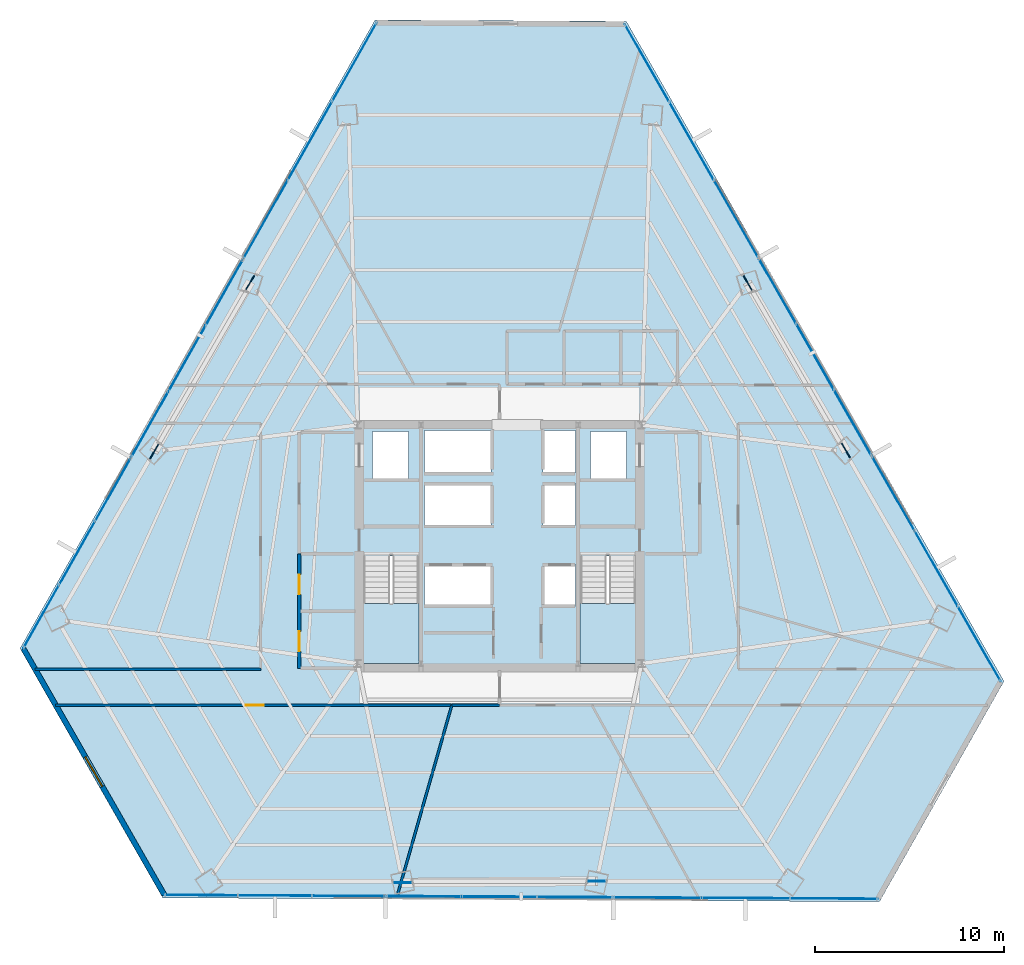
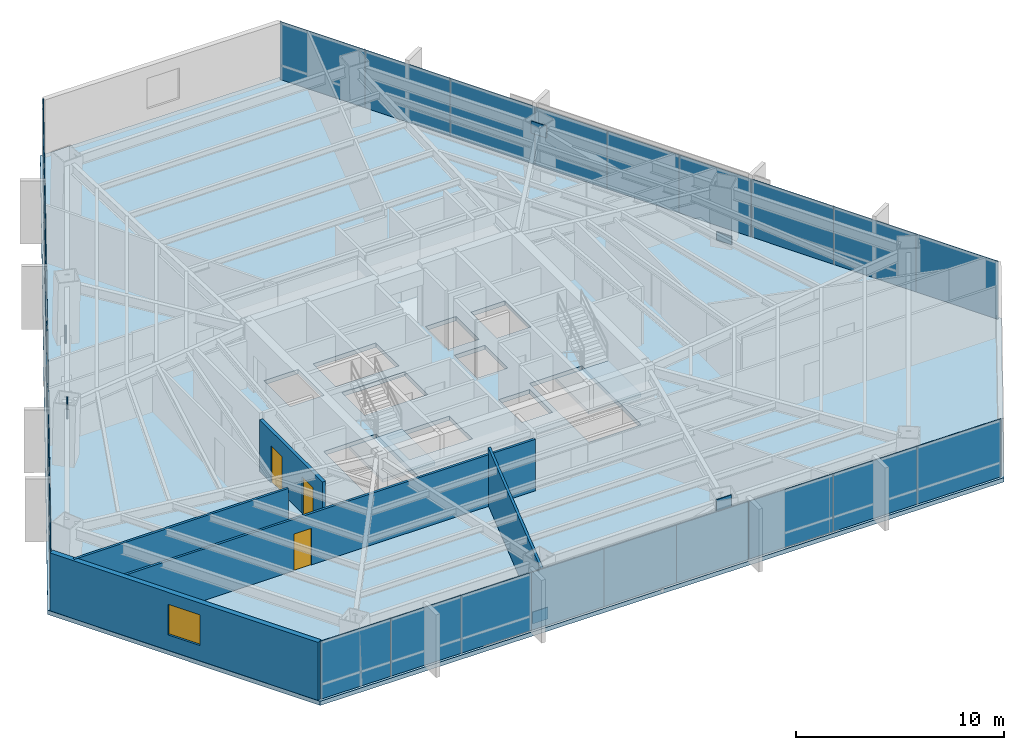
# One storey, part 30 of 36: 33 plates, 6 walls, 3 doors, 3 slabs, 1 window, 4 openings, 11 elements without a shape of their own.
"""IFC4 building model written with IfcOpenShell, lengths in metres."""

from ifc_helpers import new_model, si_unit, direction, frame, frame_2d, origin, origin_2d, place, context, subcontext, project, spatial, polyline, rectangle, outline, extrude, source, transform, mapped, material, layer, layer_set, type_object, type_shapes, element, fill, aggregate, save


model = new_model("IFC4")

# Units and contexts
model_context = context("Model", 3, precision=1e-05, world=origin(), true_north=direction((0.0, 1.0)))
body_context = subcontext(model_context, "Body", "Model", "MODEL_VIEW")
ifc_project = project(units=[si_unit("LENGTHUNIT", "METRE"), si_unit("AREAUNIT", "SQUARE_METRE"), si_unit("VOLUMEUNIT", "CUBIC_METRE"), si_unit("PLANEANGLEUNIT", "RADIAN"), si_unit("MASSUNIT", "GRAM", prefix="KILO")], contexts=[model_context])

# Site, building, storey
site_placement = place(None, origin())
site = spatial("IfcSite", under=ifc_project, at=site_placement, CompositionType="ELEMENT")
building_placement = place(site_placement, origin())
building = spatial("IfcBuilding", under=site, at=building_placement, Name="Caelisora Broadcast Tower", CompositionType="ELEMENT")
storey_placement = place(building_placement, frame((0.0, 0.0, 79.85009765625)))
storey = spatial("IfcBuildingStorey", under=building, at=storey_placement, Name="L20", CompositionType="ELEMENT", Elevation=79.85009765625)

# Slab
ifc_material_1 = material(Name="Concrete 40 MPa (AS 3600 N40)", Category="concrete")
ifc_layer_1 = layer(ifc_material_1, 0.25, Name="Concrete 40 MPa (AS 3600 N40)")
ifc_layer_set_1 = layer_set([ifc_layer_1], Name="Concrete 40 MPa (AS 3600 N40)")
slab_type_1 = type_object("IfcSlabType", Name="SL04", PredefinedType="FLOOR", material=ifc_layer_set_1)
slab_1_placement = place(storey_placement, frame((0.0, 0.0, -0.25)))
element("IfcSlab", 1, at=slab_1_placement, inside=storey, type_object=slab_type_1, Name="L20 suspended floor SL04", PredefinedType="FLOOR", context=body_context, shape_type="SweptSolid", body=[
    extrude(outline(polyline([(44.700927734375, 51.31201171875), (31.424072265625, 51.384033203125), (12.677978515625, 18.199951171875), (20.212890625, 5.030029296875), (58.06201171875, 4.823974609375), (64.637939453125, 16.465087890625), (44.700927734375, 51.31201171875)]), holes=[polyline([(30.820068359375, 17.39990234375), (33.739990234375, 17.39990234375), (33.739990234375, 23.080078125), (30.820068359375, 23.080078125), (30.820068359375, 17.39990234375)]), polyline([(42.260009765625, 17.39990234375), (45.179931640625, 17.39990234375), (45.179931640625, 23.080078125), (42.260009765625, 23.080078125), (42.260009765625, 17.39990234375)]), polyline([(42.800048828125, 27.14990234375), (44.699951171875, 27.14990234375), (44.699951171875, 29.64990234375), (42.800048828125, 29.64990234375), (42.800048828125, 27.14990234375)]), polyline([(40.300048828125, 20.429931640625), (42.0, 20.429931640625), (42.0, 22.6298828125), (40.300048828125, 22.6298828125), (40.300048828125, 20.429931640625)]), polyline([(40.300048828125, 24.719970703125), (42.0, 24.719970703125), (42.0, 26.919921875), (40.300048828125, 26.919921875), (40.300048828125, 24.719970703125)]), polyline([(40.300048828125, 27.5), (42.0, 27.5), (42.0, 29.699951171875), (40.300048828125, 29.699951171875), (40.300048828125, 27.5)]), polyline([(34.050048828125, 20.429931640625), (37.550048828125, 20.429931640625), (37.550048828125, 22.6298828125), (34.050048828125, 22.6298828125), (34.050048828125, 20.429931640625)]), polyline([(34.050048828125, 24.719970703125), (37.550048828125, 24.719970703125), (37.550048828125, 26.919921875), (34.050048828125, 26.919921875), (34.050048828125, 24.719970703125)]), polyline([(34.050048828125, 27.5), (37.550048828125, 27.5), (37.550048828125, 29.699951171875), (34.050048828125, 29.699951171875), (34.050048828125, 27.5)]), polyline([(31.300048828125, 27.14990234375), (33.199951171875, 27.14990234375), (33.199951171875, 29.64990234375), (31.300048828125, 29.64990234375), (31.300048828125, 27.14990234375)])]), origin(), (0.0, 0.0, 1.0), 0.25),
])

# Stair, slab
stair_type_1 = type_object("IfcStairType", Name="ST-1", PredefinedType="HALF_TURN_STAIR", material=ifc_material_1)
stair_1_placement = place(storey_placement, origin())
stair_1 = element("IfcStair", 2, at=stair_1_placement, inside=storey, type_object=stair_type_1, Name="L20 West Fire-Isolated Tower Stair", PredefinedType="HALF_TURN_STAIR")
ifc_layer_2 = layer(ifc_material_1, 0.199951171875, Name="Concrete 40 MPa (AS 3600 N40)")
ifc_layer_set_2 = layer_set([ifc_layer_2], Name="Concrete 40 MPa (AS 3600 N40)")
slab_type_2 = type_object("IfcSlabType", Name="STL-1", PredefinedType="LANDING", material=ifc_layer_set_2)
slab_2_placement = place(storey_placement, frame((0.0, 0.0, 1.625)))
slab_2 = element("IfcSlab", 3, at=slab_2_placement, type_object=slab_type_2, Name="ST-1 landing 1", PredefinedType="LANDING", context=body_context, shape_type="SweptSolid", body=[
    extrude(outline(polyline([(30.820068359375, 20.580078125), (30.820068359375, 17.39990234375), (33.739990234375, 17.39990234375), (33.739990234375, 20.580078125), (30.820068359375, 20.580078125)])), origin(), (0.0, 0.0, 1.0), 0.199951171875),
])
aggregate(stair_1, [slab_2])

stair_type_2 = type_object("IfcStairType", Name="ST-2", PredefinedType="HALF_TURN_STAIR", material=ifc_material_1)
stair_2_placement = place(storey_placement, origin())
stair_2 = element("IfcStair", 4, at=stair_2_placement, inside=storey, type_object=stair_type_2, Name="L20 East Fire-Isolated Tower Stair", PredefinedType="HALF_TURN_STAIR")
slab_3_placement = place(storey_placement, frame((0.0, 0.0, 1.625)))
slab_3 = element("IfcSlab", 5, at=slab_3_placement, type_object=slab_type_2, Name="ST-2 landing 1", PredefinedType="LANDING", context=body_context, shape_type="SweptSolid", body=[
    extrude(outline(polyline([(42.260009765625, 20.580078125), (42.260009765625, 17.39990234375), (45.179931640625, 17.39990234375), (45.179931640625, 20.580078125), (42.260009765625, 20.580078125)])), origin(), (0.0, 0.0, 1.0), 0.199951171875),
])
aggregate(stair_2, [slab_3])

# Plates
ifc_material_2 = material(Name="Steel Grade 350 L15 (AS/NZS 3678)", Category="steel")
ifc_layer_3 = layer(ifc_material_2, 0.050048828125, Name="Steel Grade 350 L15 (AS/NZS 3678)")
ifc_layer_set_3 = layer_set([ifc_layer_3], Name="Steel Grade 350 L15 (AS/NZS 3678)")
plate_type_1 = type_object("IfcPlateType", Name="GP03", PredefinedType="USERDEFINED", material=ifc_layer_set_3)
shared_shape_1 = source(origin(), body_context, "Body", "SweptSolid", [
    extrude(rectangle(XDim=0.85009765625, YDim=0.050048828125, at=origin_2d()), origin(), (0.0, 0.0, 1.0), 0.699951171875),
])
type_shapes(plate_type_1, [shared_shape_1])
for number, where, z_axis, x_axis, name in (
    (6, (24.82470703125, 37.509765625, -0.22998046875), (0.0, 0.0, 1.0), (-0.5, -0.866025403784, 0.0), "L20 gusset plate GP03 (ND-L20-C02B)"),
    (7, (19.76708984375, 28.60498046875, 2.72998046875), (0.0, 0.0, 1.0), (-0.5, -0.866025403784, 0.0), "L20 gusset plate GP03 (ND-L20-C03T)"),
    (8, (32.887939453125, 5.8349609375, -0.22998046875), (0.0, 0.0, 1.0), (1.0, 0.0, 0.0), "L20 gusset plate GP03 (ND-L20-C06B)"),
    (9, (43.12841796875, 5.9072265625, 2.72998046875), (0.0, 0.0, 1.0), (1.0, 0.0, 0.0), "L20 gusset plate GP03 (ND-L20-C07T)"),
    (10, (56.287353515625, 28.655517578125, -0.22998046875), (0.0, 0.0, 1.0), (-0.5, 0.866025403784, 0.0), "L20 gusset plate GP03 (ND-L20-C10B)"),
    (11, (51.1044921875, 37.48779296875, 2.72998046875), (0.0, 0.0, 1.0), (-0.5, 0.866025403784, 0.0), "L20 gusset plate GP03 (ND-L20-C11T)"),
):
    element("IfcPlate", number, at=place(storey_placement, frame(where, z_axis=z_axis, x_axis=x_axis)), inside=storey, type_object=plate_type_1, Name=name, ObjectType="GUSSET PLATE", PredefinedType="USERDEFINED", context=body_context, shape_type="MappedRepresentation", body=[
        mapped(shared_shape_1, transform((0.0, 0.0, 0.0), scale=1.0)),
    ])

# Curtain wall, plates
ifc_material_3 = material(Name="Unitised Aluminium and Low-E Glass Curtain Wall", Category="glass")
curtain_wall_type_1 = type_object("IfcCurtainWallType", Name="CW-Z2", PredefinedType="NOTDEFINED", material=ifc_material_3)
curtain_wall_1_placement = place(storey_placement, origin())
curtain_wall_1 = element("IfcCurtainWall", 12, at=curtain_wall_1_placement, inside=storey, type_object=curtain_wall_type_1, Name="L20 curtain wall CW-Z2", PredefinedType="NOTDEFINED")
ifc_material_4 = material(Name="Double Glazed Low-E Argon IGU", Category="glass")
ifc_layer_4 = layer(ifc_material_4, 0.033935546875, Name="Double Glazed Low-E Argon IGU")
ifc_layer_set_4 = layer_set([ifc_layer_4], Name="Double Glazed Low-E Argon IGU")
plate_type_2 = type_object("IfcPlateType", Name="CWP-03", PredefinedType="CURTAIN_PANEL", material=ifc_layer_set_4)
shared_shape_2 = source(origin(), body_context, "Body", "SweptSolid", [
    extrude(rectangle(XDim=4.734375, YDim=0.033935546875, at=origin_2d()), origin(), (0.0, 0.0, 1.0), 3.39990234375),
])
plate_1_placement = place(storey_placement, frame((45.78955078125, 49.107421875, 0.0), z_axis=(0.0, 0.0, 1.0), x_axis=(0.496519531995, -0.868025549363, 0.0)))
plate_1 = element("IfcPlate", 13, at=plate_1_placement, type_object=plate_type_2, Name="L20-CW-B01 glazed panel #1", PredefinedType="CURTAIN_PANEL", context=body_context, shape_type="MappedRepresentation", body=[
    mapped(shared_shape_2, transform((0.0, 0.0, 0.0), scale=1.0)),
])
plate_2_placement = place(storey_placement, frame((48.140625, 44.997802734375, 0.0), z_axis=(0.0, 0.0, 1.0), x_axis=(0.496519531995, -0.868025549363, 0.0)))
plate_2 = element("IfcPlate", 14, at=plate_2_placement, type_object=plate_type_2, Name="L20-CW-B01 glazed panel #2", PredefinedType="CURTAIN_PANEL", context=body_context, shape_type="MappedRepresentation", body=[
    mapped(shared_shape_2, transform((0.0, 0.0, 0.0), scale=1.0)),
])
plate_3_placement = place(storey_placement, frame((50.49169921875, 40.888427734375, 0.0), z_axis=(0.0, 0.0, 1.0), x_axis=(0.496519531995, -0.868025549363, 0.0)))
plate_3 = element("IfcPlate", 15, at=plate_3_placement, type_object=plate_type_2, Name="L20-CW-B01 glazed panel #3", PredefinedType="CURTAIN_PANEL", context=body_context, shape_type="MappedRepresentation", body=[
    mapped(shared_shape_2, transform((0.0, 0.0, 0.0), scale=1.0)),
])
aggregate(curtain_wall_1, [plate_1, plate_2, plate_3])

ifc_material_5 = material(Name="Unitised Aluminium Insulated Shadow-Box Spandrel Curtain Wall", Category="aluminium")
curtain_wall_type_2 = type_object("IfcCurtainWallType", Name="CW-SP1", PredefinedType="NOTDEFINED", material=ifc_material_5)
curtain_wall_2_placement = place(storey_placement, origin())
curtain_wall_2 = element("IfcCurtainWall", 16, at=curtain_wall_2_placement, inside=storey, type_object=curtain_wall_type_2, Name="L20 curtain wall CW-SP1", PredefinedType="NOTDEFINED")
ifc_material_6 = material(Name="Insulated Terracotta Shadow-Box Spandrel Panel", Category="aluminium")
ifc_layer_5 = layer(ifc_material_6, 0.0439453125, Name="Insulated Terracotta Shadow-Box Spandrel Panel")
ifc_layer_set_5 = layer_set([ifc_layer_5], Name="Insulated Terracotta Shadow-Box Spandrel Panel")
plate_type_3 = type_object("IfcPlateType", Name="CWP-10", PredefinedType="CURTAIN_PANEL", material=ifc_layer_set_5)
shared_shape_3 = source(origin(), body_context, "Body", "SweptSolid", [
    extrude(rectangle(XDim=4.004638671875, YDim=0.0439453125, at=origin_2d()), origin(), (0.0, 0.0, 1.0), 3.39990234375),
])
plate_4_placement = place(storey_placement, frame((52.66650390625, 37.087158203125, 0.0), z_axis=(0.0, 0.0, 1.0), x_axis=(0.496519531995, -0.868025549363, 0.0)))
plate_4 = element("IfcPlate", 17, at=plate_4_placement, type_object=plate_type_3, Name="L20-CW-B02 spandrel panel #1", PredefinedType="CURTAIN_PANEL", context=body_context, shape_type="MappedRepresentation", body=[
    mapped(shared_shape_3, transform((0.0, 0.0, 0.0), scale=1.0)),
])
plate_5_placement = place(storey_placement, frame((54.6552734375, 33.611083984375, 0.0), z_axis=(0.0, 0.0, 1.0), x_axis=(0.496519531995, -0.868025549363, 0.0)))
plate_5 = element("IfcPlate", 18, at=plate_5_placement, type_object=plate_type_3, Name="L20-CW-B02 spandrel panel #2", PredefinedType="CURTAIN_PANEL", context=body_context, shape_type="MappedRepresentation", body=[
    mapped(shared_shape_3, transform((0.0, 0.0, 0.0), scale=1.0)),
])
plate_6_placement = place(storey_placement, frame((56.64404296875, 30.13525390625, 0.0), z_axis=(0.0, 0.0, 1.0), x_axis=(0.496519531995, -0.868025549363, 0.0)))
plate_6 = element("IfcPlate", 19, at=plate_6_placement, type_object=plate_type_3, Name="L20-CW-B02 spandrel panel #3", PredefinedType="CURTAIN_PANEL", context=body_context, shape_type="MappedRepresentation", body=[
    mapped(shared_shape_3, transform((0.0, 0.0, 0.0), scale=1.0)),
])
aggregate(curtain_wall_2, [plate_4, plate_5, plate_6])

curtain_wall_3_placement = place(storey_placement, origin())
curtain_wall_3 = element("IfcCurtainWall", 20, at=curtain_wall_3_placement, inside=storey, type_object=curtain_wall_type_2, Name="L20 curtain wall CW-SP1", PredefinedType="NOTDEFINED")
plate_7_placement = place(storey_placement, frame((42.00048828125, 5.061279296875, 0.0), z_axis=(0.0, 0.0, 1.0), x_axis=(-0.999985363169, 0.005410494284, 0.0)))
plate_7 = element("IfcPlate", 21, at=plate_7_placement, type_object=plate_type_3, Name="L20-CW-B06 spandrel panel #1", PredefinedType="CURTAIN_PANEL", context=body_context, shape_type="MappedRepresentation", body=[
    mapped(shared_shape_3, transform((0.0, 0.0, 0.0), scale=1.0)),
])
plate_8_placement = place(storey_placement, frame((37.995849609375, 5.083251953125, 0.0), z_axis=(0.0, 0.0, 1.0), x_axis=(-0.999985363169, 0.005410494284, 0.0)))
plate_8 = element("IfcPlate", 22, at=plate_8_placement, type_object=plate_type_3, Name="L20-CW-B06 spandrel panel #2", PredefinedType="CURTAIN_PANEL", context=body_context, shape_type="MappedRepresentation", body=[
    mapped(shared_shape_3, transform((0.0, 0.0, 0.0), scale=1.0)),
])
plate_9_placement = place(storey_placement, frame((33.9912109375, 5.10498046875, 0.0), z_axis=(0.0, 0.0, 1.0), x_axis=(-0.999985363169, 0.005410494284, 0.0)))
plate_9 = element("IfcPlate", 23, at=plate_9_placement, type_object=plate_type_3, Name="L20-CW-B06 spandrel panel #3", PredefinedType="CURTAIN_PANEL", context=body_context, shape_type="MappedRepresentation", body=[
    mapped(shared_shape_3, transform((0.0, 0.0, 0.0), scale=1.0)),
])
aggregate(curtain_wall_3, [plate_7, plate_8, plate_9])

curtain_wall_4_placement = place(storey_placement, origin())
curtain_wall_4 = element("IfcCurtainWall", 24, at=curtain_wall_4_placement, inside=storey, type_object=curtain_wall_type_1, Name="L20 curtain wall CW-Z2", PredefinedType="NOTDEFINED")
shared_shape_4 = source(origin(), body_context, "Body", "SweptSolid", [
    extrude(rectangle(XDim=4.5791015625, YDim=0.033935546875, at=origin_2d()), origin(), (0.0, 0.0, 1.0), 3.39990234375),
])
plate_10_placement = place(storey_placement, frame((58.7802734375, 26.401123046875, 0.0), z_axis=(0.0, 0.0, 1.0), x_axis=(0.496519531995, -0.868025549363, 0.0)))
plate_10 = element("IfcPlate", 25, at=plate_10_placement, type_object=plate_type_2, Name="L20-CW-B03 glazed panel #1", PredefinedType="CURTAIN_PANEL", context=body_context, shape_type="MappedRepresentation", body=[
    mapped(shared_shape_4, transform((0.0, 0.0, 0.0), scale=1.0)),
])
plate_11_placement = place(storey_placement, frame((61.05419921875, 22.4267578125, 0.0), z_axis=(0.0, 0.0, 1.0), x_axis=(0.496519531995, -0.868025549363, 0.0)))
plate_11 = element("IfcPlate", 26, at=plate_11_placement, type_object=plate_type_2, Name="L20-CW-B03 glazed panel #2", PredefinedType="CURTAIN_PANEL", context=body_context, shape_type="MappedRepresentation", body=[
    mapped(shared_shape_4, transform((0.0, 0.0, 0.0), scale=1.0)),
])
plate_12_placement = place(storey_placement, frame((63.327880859375, 18.4521484375, 0.0), z_axis=(0.0, 0.0, 1.0), x_axis=(0.496519531995, -0.868025549363, 0.0)))
plate_12 = element("IfcPlate", 27, at=plate_12_placement, type_object=plate_type_2, Name="L20-CW-B03 glazed panel #3", PredefinedType="CURTAIN_PANEL", context=body_context, shape_type="MappedRepresentation", body=[
    mapped(shared_shape_4, transform((0.0, 0.0, 0.0), scale=1.0)),
])
aggregate(curtain_wall_4, [plate_10, plate_11, plate_12])

curtain_wall_5_placement = place(storey_placement, origin())
curtain_wall_5 = element("IfcCurtainWall", 28, at=curtain_wall_5_placement, inside=storey, type_object=curtain_wall_type_1, Name="L20 curtain wall CW-Z2", PredefinedType="NOTDEFINED")
shared_shape_5 = source(origin(), body_context, "Body", "SweptSolid", [
    extrude(rectangle(XDim=4.654296875, YDim=0.033935546875, at=origin_2d()), origin(), (0.0, 0.0, 1.0), 3.39990234375),
])
plate_13_placement = place(storey_placement, frame((55.64794921875, 4.98681640625, 0.0), z_axis=(0.0, 0.0, 1.0), x_axis=(-0.999985363169, 0.005410494284, 0.0)))
plate_13 = element("IfcPlate", 29, at=plate_13_placement, type_object=plate_type_2, Name="L20-CW-B05 glazed panel #1", PredefinedType="CURTAIN_PANEL", context=body_context, shape_type="MappedRepresentation", body=[
    mapped(shared_shape_5, transform((0.0, 0.0, 0.0), scale=1.0)),
])
plate_14_placement = place(storey_placement, frame((50.993896484375, 5.01220703125, 0.0), z_axis=(0.0, 0.0, 1.0), x_axis=(-0.999985363169, 0.005410494284, 0.0)))
plate_14 = element("IfcPlate", 30, at=plate_14_placement, type_object=plate_type_2, Name="L20-CW-B05 glazed panel #2", PredefinedType="CURTAIN_PANEL", context=body_context, shape_type="MappedRepresentation", body=[
    mapped(shared_shape_5, transform((0.0, 0.0, 0.0), scale=1.0)),
])
plate_15_placement = place(storey_placement, frame((46.33984375, 5.03759765625, 0.0), z_axis=(0.0, 0.0, 1.0), x_axis=(-0.999985363169, 0.005410494284, 0.0)))
plate_15 = element("IfcPlate", 31, at=plate_15_placement, type_object=plate_type_2, Name="L20-CW-B05 glazed panel #3", PredefinedType="CURTAIN_PANEL", context=body_context, shape_type="MappedRepresentation", body=[
    mapped(shared_shape_5, transform((0.0, 0.0, 0.0), scale=1.0)),
])
aggregate(curtain_wall_5, [plate_13, plate_14, plate_15])

curtain_wall_6_placement = place(storey_placement, origin())
curtain_wall_6 = element("IfcCurtainWall", 32, at=curtain_wall_6_placement, inside=storey, type_object=curtain_wall_type_1, Name="L20 curtain wall CW-Z2", PredefinedType="NOTDEFINED")
shared_shape_6 = source(origin(), body_context, "Body", "SweptSolid", [
    extrude(rectangle(XDim=3.89306640625, YDim=0.033935546875, at=origin_2d()), origin(), (0.0, 0.0, 1.0), 3.39990234375),
])
plate_16_placement = place(storey_placement, frame((30.032470703125, 5.126708984375, 0.0), z_axis=(0.0, 0.0, 1.0), x_axis=(-0.999985363169, 0.005410494284, 0.0)))
plate_16 = element("IfcPlate", 33, at=plate_16_placement, type_object=plate_type_2, Name="L20-CW-B07 glazed panel #1", PredefinedType="CURTAIN_PANEL", context=body_context, shape_type="MappedRepresentation", body=[
    mapped(shared_shape_6, transform((0.0, 0.0, 0.0), scale=1.0)),
])
plate_17_placement = place(storey_placement, frame((26.139404296875, 5.148193359375, 0.0), z_axis=(0.0, 0.0, 1.0), x_axis=(-0.999985363169, 0.005410494284, 0.0)))
plate_17 = element("IfcPlate", 34, at=plate_17_placement, type_object=plate_type_2, Name="L20-CW-B07 glazed panel #2", PredefinedType="CURTAIN_PANEL", context=body_context, shape_type="MappedRepresentation", body=[
    mapped(shared_shape_6, transform((0.0, 0.0, 0.0), scale=1.0)),
])
plate_18_placement = place(storey_placement, frame((22.24658203125, 5.16943359375, 0.0), z_axis=(0.0, 0.0, 1.0), x_axis=(-0.999985363169, 0.005410494284, 0.0)))
plate_18 = element("IfcPlate", 35, at=plate_18_placement, type_object=plate_type_2, Name="L20-CW-B07 glazed panel #3", PredefinedType="CURTAIN_PANEL", context=body_context, shape_type="MappedRepresentation", body=[
    mapped(shared_shape_6, transform((0.0, 0.0, 0.0), scale=1.0)),
])
aggregate(curtain_wall_6, [plate_16, plate_17, plate_18])

curtain_wall_7_placement = place(storey_placement, origin())
curtain_wall_7 = element("IfcCurtainWall", 36, at=curtain_wall_7_placement, inside=storey, type_object=curtain_wall_type_1, Name="L20 curtain wall CW-Z2", PredefinedType="NOTDEFINED")
shared_shape_7 = source(origin(), body_context, "Body", "SweptSolid", [
    extrude(rectangle(XDim=3.857666015625, YDim=0.033935546875, at=origin_2d()), origin(), (0.0, 0.0, 1.0), 3.39990234375),
])
plate_19_placement = place(storey_placement, frame((13.7998046875, 19.87939453125, 0.0), z_axis=(0.0, 0.0, 1.0), x_axis=(0.49181581725, 0.870699260309, 0.0)))
plate_19 = element("IfcPlate", 37, at=plate_19_placement, type_object=plate_type_2, Name="L20-CW-B09 glazed panel #1", PredefinedType="CURTAIN_PANEL", context=body_context, shape_type="MappedRepresentation", body=[
    mapped(shared_shape_7, transform((0.0, 0.0, 0.0), scale=1.0)),
])
plate_20_placement = place(storey_placement, frame((15.697021484375, 23.23828125, 0.0), z_axis=(0.0, 0.0, 1.0), x_axis=(0.49181581725, 0.870699260309, 0.0)))
plate_20 = element("IfcPlate", 38, at=plate_20_placement, type_object=plate_type_2, Name="L20-CW-B09 glazed panel #2", PredefinedType="CURTAIN_PANEL", context=body_context, shape_type="MappedRepresentation", body=[
    mapped(shared_shape_7, transform((0.0, 0.0, 0.0), scale=1.0)),
])
plate_21_placement = place(storey_placement, frame((17.594482421875, 26.59716796875, 0.0), z_axis=(0.0, 0.0, 1.0), x_axis=(0.49181581725, 0.870699260309, 0.0)))
plate_21 = element("IfcPlate", 39, at=plate_21_placement, type_object=plate_type_2, Name="L20-CW-B09 glazed panel #3", PredefinedType="CURTAIN_PANEL", context=body_context, shape_type="MappedRepresentation", body=[
    mapped(shared_shape_7, transform((0.0, 0.0, 0.0), scale=1.0)),
])
aggregate(curtain_wall_7, [plate_19, plate_20, plate_21])

curtain_wall_8_placement = place(storey_placement, origin())
curtain_wall_8 = element("IfcCurtainWall", 40, at=curtain_wall_8_placement, inside=storey, type_object=curtain_wall_type_2, Name="L20 curtain wall CW-SP1", PredefinedType="NOTDEFINED")
shared_shape_8 = source(origin(), body_context, "Body", "SweptSolid", [
    extrude(rectangle(XDim=4.00439453125, YDim=0.0439453125, at=origin_2d()), origin(), (0.0, 0.0, 1.0), 3.39990234375),
])
type_shapes(plate_type_3, [shared_shape_3, shared_shape_8])
plate_22_placement = place(storey_placement, frame((19.53271484375, 30.02880859375, 0.0), z_axis=(0.0, 0.0, 1.0), x_axis=(0.49181581725, 0.870699260309, 0.0)))
plate_22 = element("IfcPlate", 41, at=plate_22_placement, type_object=plate_type_3, Name="L20-CW-B10 spandrel panel #1", PredefinedType="CURTAIN_PANEL", context=body_context, shape_type="MappedRepresentation", body=[
    mapped(shared_shape_8, transform((0.0, 0.0, 0.0), scale=1.0)),
])
plate_23_placement = place(storey_placement, frame((21.502197265625, 33.515380859375, 0.0), z_axis=(0.0, 0.0, 1.0), x_axis=(0.49181581725, 0.870699260309, 0.0)))
plate_23 = element("IfcPlate", 42, at=plate_23_placement, type_object=plate_type_3, Name="L20-CW-B10 spandrel panel #2", PredefinedType="CURTAIN_PANEL", context=body_context, shape_type="MappedRepresentation", body=[
    mapped(shared_shape_8, transform((0.0, 0.0, 0.0), scale=1.0)),
])
plate_24_placement = place(storey_placement, frame((23.4716796875, 37.002197265625, 0.0), z_axis=(0.0, 0.0, 1.0), x_axis=(0.49181581725, 0.870699260309, 0.0)))
plate_24 = element("IfcPlate", 43, at=plate_24_placement, type_object=plate_type_3, Name="L20-CW-B10 spandrel panel #3", PredefinedType="CURTAIN_PANEL", context=body_context, shape_type="MappedRepresentation", body=[
    mapped(shared_shape_8, transform((0.0, 0.0, 0.0), scale=1.0)),
])
aggregate(curtain_wall_8, [plate_22, plate_23, plate_24])

curtain_wall_9_placement = place(storey_placement, origin())
curtain_wall_9 = element("IfcCurtainWall", 44, at=curtain_wall_9_placement, inside=storey, type_object=curtain_wall_type_1, Name="L20 curtain wall CW-Z2", PredefinedType="NOTDEFINED")
shared_shape_9 = source(origin(), body_context, "Body", "SweptSolid", [
    extrude(rectangle(XDim=4.777587890625, YDim=0.033935546875, at=origin_2d()), origin(), (0.0, 0.0, 1.0), 3.39990234375),
])
type_shapes(plate_type_2, [shared_shape_2, shared_shape_4, shared_shape_5, shared_shape_6, shared_shape_7, shared_shape_9])
plate_25_placement = place(storey_placement, frame((25.636474609375, 40.834228515625, 0.0), z_axis=(0.0, 0.0, 1.0), x_axis=(0.49181581725, 0.870699260309, 0.0)))
plate_25 = element("IfcPlate", 45, at=plate_25_placement, type_object=plate_type_2, Name="L20-CW-B11 glazed panel #1", PredefinedType="CURTAIN_PANEL", context=body_context, shape_type="MappedRepresentation", body=[
    mapped(shared_shape_9, transform((0.0, 0.0, 0.0), scale=1.0)),
])
plate_26_placement = place(storey_placement, frame((27.986328125, 44.994140625, 0.0), z_axis=(0.0, 0.0, 1.0), x_axis=(0.49181581725, 0.870699260309, 0.0)))
plate_26 = element("IfcPlate", 46, at=plate_26_placement, type_object=plate_type_2, Name="L20-CW-B11 glazed panel #2", PredefinedType="CURTAIN_PANEL", context=body_context, shape_type="MappedRepresentation", body=[
    mapped(shared_shape_9, transform((0.0, 0.0, 0.0), scale=1.0)),
])
plate_27_placement = place(storey_placement, frame((30.336181640625, 49.154052734375, 0.0), z_axis=(0.0, 0.0, 1.0), x_axis=(0.49181581725, 0.870699260309, 0.0)))
plate_27 = element("IfcPlate", 47, at=plate_27_placement, type_object=plate_type_2, Name="L20-CW-B11 glazed panel #3", PredefinedType="CURTAIN_PANEL", context=body_context, shape_type="MappedRepresentation", body=[
    mapped(shared_shape_9, transform((0.0, 0.0, 0.0), scale=1.0)),
])
aggregate(curtain_wall_9, [plate_25, plate_26, plate_27])

# Wall, opening, window
ifc_material_7 = material(Name="Insulated Terracotta Spandrel Wall System", Category="masonry")
ifc_layer_6 = layer(ifc_material_7, 0.280029296875, Name="Insulated Terracotta Spandrel Wall System")
ifc_layer_set_6 = layer_set([ifc_layer_6], Name="Insulated Terracotta Spandrel Wall System")
wall_type_1 = type_object("IfcWallType", Name="EW1", PredefinedType="STANDARD", material=ifc_layer_set_6)
wall_1_placement = place(storey_placement, frame((20.28515625, 5.2060546875, 0.0), z_axis=(0.0, 0.0, 1.0), x_axis=(-0.496587621969, 0.867986597654, 0.0)))
wall_1 = element("IfcWall", 48, at=wall_1_placement, inside=storey, type_object=wall_type_1, Name="L20 exterior envelope wall EW1", PredefinedType="STANDARD", context=body_context, shape_type="SweptSolid", body=[
    extrude(rectangle(XDim=14.9404296875, YDim=0.280029296875, at=frame_2d((7.47021484375, 0.0))), origin(), (0.0, 0.0, 1.0), 3.39990234375),
])
opening_1_placement = place(wall_1_placement, frame((6.570068359375, 0.0, 0.89990234375)))
opening_1 = element("IfcOpeningElement", 49, at=opening_1_placement, cuts=wall_1, Name="Opening W01", PredefinedType="OPENING", context=body_context, shape_type="SweptSolid", body=[
    extrude(rectangle(XDim=1.800048828125, YDim=1.800048828125, at=frame_2d((0.89990234375, 0.89990234375))), frame((0.0, 0.152099609375, 0.0), z_axis=(0.0, -1.0, 0.0), x_axis=(1.0, 0.0, 0.0)), (0.0, 0.0, 1.0), 0.303955078125),
])
ifc_material_8 = material(Name="Double Glazed Terracotta-Framed Vision Window", Category="glass")
window_type = type_object("IfcWindowType", Name="W01", PartitioningType="SINGLE_PANEL", PredefinedType="WINDOW", material=ifc_material_8)
window_placement = place(opening_1_placement, origin())
window = element("IfcWindow", 50, at=window_placement, inside=storey, type_object=window_type, Name="L20 window W01 (L20-WN-CH4)", OverallHeight=1.800048828125, OverallWidth=1.800048828125, PartitioningType="SINGLE_PANEL", PredefinedType="WINDOW", context=body_context, shape_type="SweptSolid", body=[
    extrude(rectangle(XDim=1.800048828125, YDim=1.800048828125, at=frame_2d((0.89990234375, 0.89990234375))), frame((0.0, 0.030029296875, 0.0), z_axis=(0.0, -1.0, 0.0), x_axis=(1.0, 0.0, 0.0)), (0.0, 0.0, 1.0), 0.06005859375),
])
fill(opening_1, window)

# Wall, openings, doors
ifc_material_9 = material(Name="Fire-Rated Gypsum Shaft and Compartment Wall", Category="gypsum")
ifc_layer_7 = layer(ifc_material_9, 0.179931640625, Name="Fire-Rated Gypsum Shaft and Compartment Wall")
ifc_layer_set_7 = layer_set([ifc_layer_7], Name="Fire-Rated Gypsum Shaft and Compartment Wall")
wall_type_2 = type_object("IfcWallType", Name="PW2", PredefinedType="PARTITIONING", material=ifc_layer_set_7)
wall_2_placement = place(storey_placement, frame((27.419921875, 17.14990234375, 0.0), z_axis=(0.0, 0.0, 1.0), x_axis=(0.0, 1.0, 0.0)))
wall_2 = element("IfcWall", 51, at=wall_2_placement, inside=storey, type_object=wall_type_2, Name="L20 fire compartment wall PW2", PredefinedType="PARTITIONING", context=body_context, shape_type="SweptSolid", body=[
    extrude(rectangle(XDim=6.030029296875, YDim=0.179931640625, at=frame_2d((3.01513671875, 0.0))), origin(), (0.0, 0.0, 1.0), 3.0263671875),
])
opening_2_placement = place(wall_2_placement, frame((0.89990234375, 0.0, 0.0)))
opening_2 = element("IfcOpeningElement", 52, at=opening_2_placement, cuts=wall_2, Name="Opening FD02", PredefinedType="OPENING", context=body_context, shape_type="SweptSolid", body=[
    extrude(rectangle(XDim=1.050048828125, YDim=2.14990234375, at=frame_2d((0.52490234375, 1.074951171875))), frame((0.0, 0.10205078125, 0.0), z_axis=(0.0, -1.0, 0.0), x_axis=(1.0, 0.0, 0.0)), (0.0, 0.0, 1.0), 0.203857421875),
])
opening_3_placement = place(wall_2_placement, frame((3.89990234375, 0.0, 0.0)))
opening_3 = element("IfcOpeningElement", 53, at=opening_3_placement, cuts=wall_2, Name="Opening FD02", PredefinedType="OPENING", context=body_context, shape_type="SweptSolid", body=[
    extrude(rectangle(XDim=1.050048828125, YDim=2.14990234375, at=frame_2d((0.52490234375, 1.074951171875))), frame((0.0, 0.10205078125, 0.0), z_axis=(0.0, -1.0, 0.0), x_axis=(1.0, 0.0, 0.0)), (0.0, 0.0, 1.0), 0.203857421875),
])
ifc_material_10 = material(Name="Single-Leaf Steel Fire Lobby Door", Category="steel")
door_type_1 = type_object("IfcDoorType", Name="FD02", OperationType="NOTDEFINED", PredefinedType="DOOR", material=ifc_material_10)
door_1_placement = place(opening_2_placement, origin())
door_1 = element("IfcDoor", 54, at=door_1_placement, inside=storey, type_object=door_type_1, Name="L20 door FD02 (L20-DR-P15D1)", OperationType="SINGLE_SWING_RIGHT", OverallHeight=2.14990234375, OverallWidth=1.050048828125, PredefinedType="DOOR", context=body_context, shape_type="SweptSolid", body=[
    extrude(rectangle(XDim=1.050048828125, YDim=2.14990234375, at=frame_2d((0.52490234375, 1.074951171875))), frame((0.0, 0.02490234375, 0.0), z_axis=(0.0, -1.0, 0.0), x_axis=(1.0, 0.0, 0.0)), (0.0, 0.0, 1.0), 0.050048828125),
])
fill(opening_2, door_1)
door_2_placement = place(opening_3_placement, origin())
door_2 = element("IfcDoor", 55, at=door_2_placement, inside=storey, type_object=door_type_1, Name="L20 door FD02 (L20-DR-P15D2)", OperationType="SINGLE_SWING_LEFT", OverallHeight=2.14990234375, OverallWidth=1.050048828125, PredefinedType="DOOR", context=body_context, shape_type="SweptSolid", body=[
    extrude(rectangle(XDim=1.050048828125, YDim=2.14990234375, at=frame_2d((0.52490234375, 1.074951171875))), frame((0.0, 0.02490234375, 0.0), z_axis=(0.0, -1.0, 0.0), x_axis=(1.0, 0.0, 0.0)), (0.0, 0.0, 1.0), 0.050048828125),
])
fill(opening_3, door_2)

# Wall, opening, door
ifc_material_11 = material(Name="Acoustic Steel-Stud Plasterboard Partition", Category="gypsum")
ifc_layer_8 = layer(ifc_material_11, 0.1298828125, Name="Acoustic Steel-Stud Plasterboard Partition")
ifc_layer_set_8 = layer_set([ifc_layer_8], Name="Acoustic Steel-Stud Plasterboard Partition")
wall_type_3 = type_object("IfcWallType", Name="PW3", PredefinedType="PARTITIONING", material=ifc_layer_set_8)
wall_3_placement = place(storey_placement, frame((14.5615234375, 15.199951171875, 0.0), z_axis=(0.0, 0.0, 1.0), x_axis=(1.0, 0.0, 0.0)))
wall_3 = element("IfcWall", 56, at=wall_3_placement, inside=storey, type_object=wall_type_3, Name="L20 internal partition PW3", PredefinedType="PARTITIONING", context=body_context, shape_type="SweptSolid", body=[
    extrude(rectangle(XDim=20.91357421875, YDim=0.1298828125, at=frame_2d((10.456787109375, 0.0))), origin(), (0.0, 0.0, 1.0), 3.0263671875),
])
opening_4_placement = place(wall_3_placement, frame((10.032958984375, 0.0, 0.0)))
opening_4 = element("IfcOpeningElement", 57, at=opening_4_placement, cuts=wall_3, Name="Opening D01", PredefinedType="OPENING", context=body_context, shape_type="SweptSolid", body=[
    extrude(rectangle(XDim=0.9599609375, YDim=2.14990234375, at=frame_2d((0.47998046875, 1.074951171875))), frame((0.0, 0.076904296875, 0.0), z_axis=(0.0, -1.0, 0.0), x_axis=(1.0, 0.0, 0.0)), (0.0, 0.0, 1.0), 0.15380859375),
])
ifc_material_12 = material(Name="Solid-Core Timber Acoustic Office Door", Category="wood")
door_type_2 = type_object("IfcDoorType", Name="D01", OperationType="NOTDEFINED", PredefinedType="DOOR", material=ifc_material_12)
door_3_placement = place(opening_4_placement, origin())
door_3 = element("IfcDoor", 58, at=door_3_placement, inside=storey, type_object=door_type_2, Name="L20 door D01 (L20-DR-P27D1)", OperationType="SINGLE_SWING_LEFT", OverallHeight=2.14990234375, OverallWidth=0.9599609375, PredefinedType="DOOR", context=body_context, shape_type="SweptSolid", body=[
    extrude(rectangle(XDim=0.9599609375, YDim=2.14990234375, at=frame_2d((0.47998046875, 1.074951171875))), frame((0.0, 0.02490234375, 0.0), z_axis=(0.0, -1.0, 0.0), x_axis=(1.0, 0.0, 0.0)), (0.0, 0.0, 1.0), 0.050048828125),
])
fill(opening_4, door_3)

# Walls
wall_4_placement = place(storey_placement, frame((13.474365234375, 17.10009765625, 0.0), z_axis=(0.0, 0.0, 1.0), x_axis=(1.0, 0.0, 0.0)))
element("IfcWall", 59, at=wall_4_placement, inside=storey, type_object=wall_type_3, Name="L20 internal partition PW3", PredefinedType="PARTITIONING", context=body_context, shape_type="SweptSolid", body=[
    extrude(rectangle(XDim=11.920654296875, YDim=0.1298828125, at=frame_2d((5.96044921875, 0.0))), origin(), (0.0, 0.0, 1.0), 3.39990234375),
])
wall_5_placement = place(storey_placement, frame((32.587890625, 5.107666015625, 0.0), z_axis=(0.0, 0.0, 1.0), x_axis=(0.275513828271, 0.961297108303, 0.0)))
element("IfcWall", 60, at=wall_5_placement, inside=storey, type_object=wall_type_3, Name="L20 internal partition PW3", PredefinedType="PARTITIONING", context=body_context, shape_type="SweptSolid", body=[
    extrude(rectangle(XDim=10.49365234375, YDim=0.1298828125, at=frame_2d((5.246826171875, 0.0))), origin(), (0.0, 0.0, 1.0), 3.39990234375),
])
wall_6_placement = place(storey_placement, frame((35.485107421875, 15.199951171875, 0.0), z_axis=(0.0, 0.0, 1.0), x_axis=(1.0, 0.0, 0.0)))
element("IfcWall", 61, at=wall_6_placement, inside=storey, type_object=wall_type_3, Name="L20 internal partition PW3", PredefinedType="PARTITIONING", context=body_context, shape_type="SweptSolid", body=[
    extrude(rectangle(XDim=2.510009765625, YDim=0.1298828125, at=frame_2d((1.2548828125, 0.0))), origin(), (0.0, 0.0, 1.0), 3.0263671875),
])

save(model, "model.ifc")
